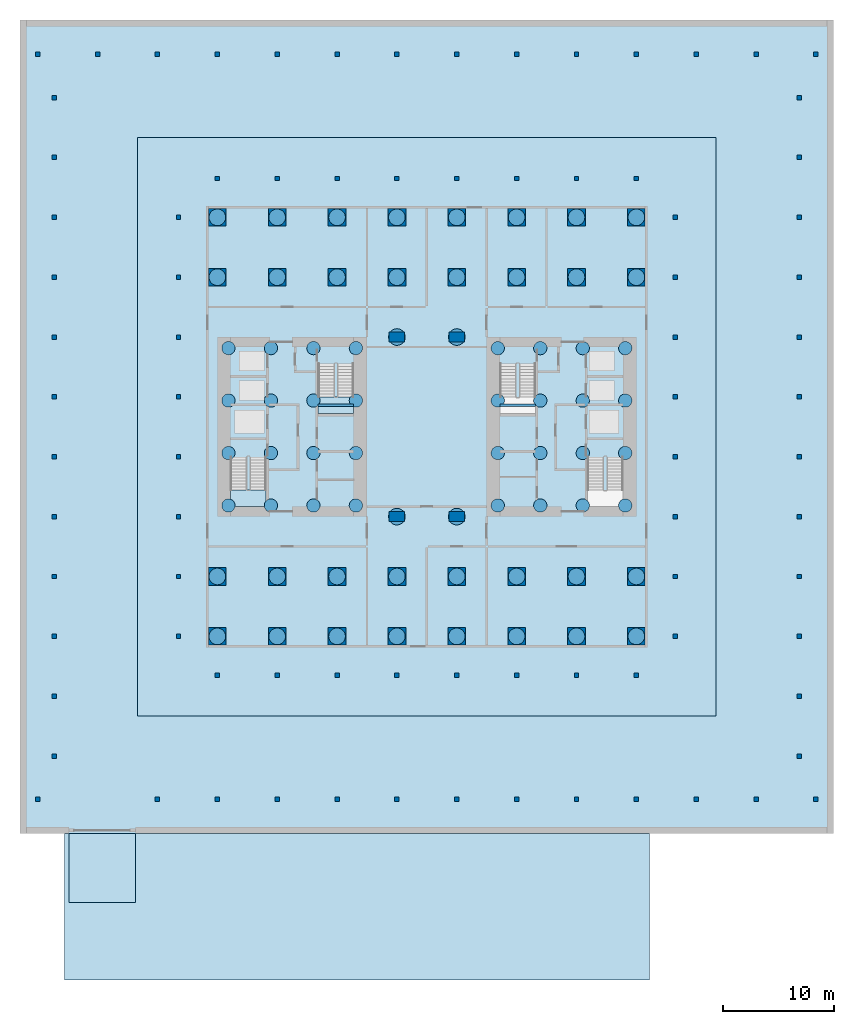
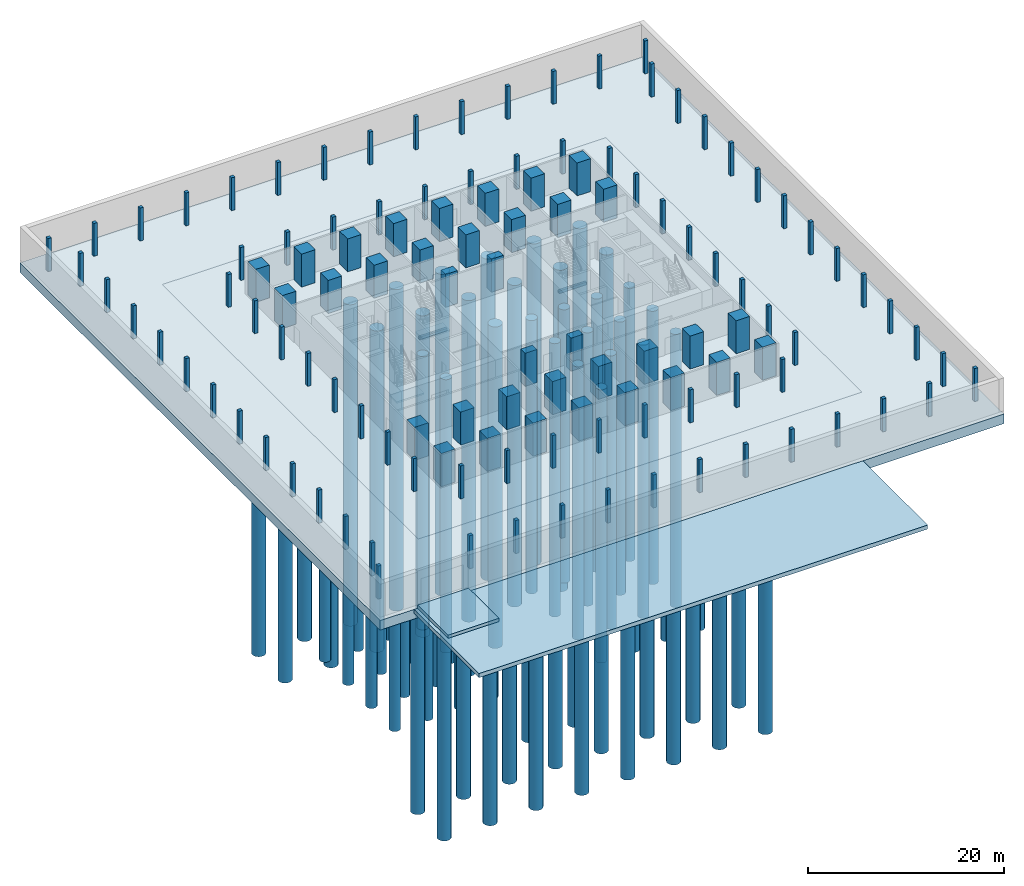
# One storey, part 1 of 8: 119 columns, 68 piles, 3 footings, 3 slabs, 2 beams, 2 elements without a shape of their own.
"""IFC4 building model written with IfcOpenShell, lengths in metres."""

from ifc_helpers import new_model, si_unit, direction, frame, origin, origin_2d, place, context, subcontext, project, spatial, polyline, rectangle, circle, outline, extrude, material, layer, layer_set, material_profile, profile_set, type_object, element, aggregate, save


model = new_model("IFC4")

# Units and contexts
model_context = context("Model", 3, precision=1e-05, world=origin(), true_north=direction((0.0, 1.0)))
body_context = subcontext(model_context, "Body", "Model", "MODEL_VIEW")
ifc_project = project(units=[si_unit("LENGTHUNIT", "METRE"), si_unit("AREAUNIT", "SQUARE_METRE"), si_unit("VOLUMEUNIT", "CUBIC_METRE"), si_unit("PLANEANGLEUNIT", "RADIAN"), si_unit("MASSUNIT", "GRAM", prefix="KILO")], contexts=[model_context])

# Site, building, storey
site_placement = place(None, origin())
site = spatial("IfcSite", under=ifc_project, at=site_placement, CompositionType="ELEMENT")
building_placement = place(site_placement, origin())
building = spatial("IfcBuilding", under=site, at=building_placement, Name="Tabaq Tower and Sports Hall", CompositionType="ELEMENT")
storey_placement = place(building_placement, frame((0.0, 0.0, -9.0)))
storey = spatial("IfcBuildingStorey", under=building, at=storey_placement, Name="B02", CompositionType="ELEMENT", Elevation=-9.0)

# Footing
ifc_material_1 = material(Name="Concrete C40/50", Category="concrete")
ifc_layer_1 = layer(ifc_material_1, 1.199951171875)
ifc_layer_set_1 = layer_set([ifc_layer_1], Name="BASEMENT MAT FOUNDATION 1200 C40/50")
footing_type_1 = type_object("IfcFootingType", Name="BASEMENT MAT FOUNDATION 1200 C40/50", PredefinedType="USERDEFINED", material=ifc_layer_set_1)
footing_1_placement = place(storey_placement, frame((0.0, 0.0, -1.60009765625)))
element("IfcFooting", 1, at=footing_1_placement, inside=storey, type_object=footing_type_1, Name="Basement Mat Foundation", ObjectType="MAT", PredefinedType="USERDEFINED", context=body_context, shape_type="SweptSolid", body=[
    extrude(outline(polyline([(-12.39990234375, -12.39990234375), (61.0, -12.39990234375), (61.0, 61.0), (-12.39990234375, 61.0), (-12.39990234375, -12.39990234375)]), holes=[polyline([(50.39990234375, 50.39990234375), (50.39990234375, -1.800048828125), (-1.800048828125, -1.800048828125), (-1.800048828125, 50.39990234375), (50.39990234375, 50.39990234375)])]), origin(), (0.0, 0.0, 1.0), 1.2001953125),
])

# Piles
ifc_material_2 = material(Name="Concrete C40/50", Category="concrete")
ifc_material_profile_1 = material_profile(ifc_material_2, circle(Radius=0.60009765625, at=origin_2d()), Name="BORED PILE D1200")
ifc_profile_set_1 = profile_set([ifc_material_profile_1], Name="Concrete C40/50")
pile_type_1 = type_object("IfcPileType", Name="BORED PILE BORED PILE D1200 C40/50", PredefinedType="BORED", material=ifc_profile_set_1)
for number, where, z_axis, x_axis, name in (
    (2, (30.699951171875, 17.199951171875, -4.324951171875), (0.0, 0.0, -1.0), (1.0, 0.0, 0.0), "Bored Pile 037"),
    (3, (30.699951171875, 21.933349609375, -4.324951171875), (0.0, 0.0, -1.0), (1.0, 0.0, 0.0), "Bored Pile 038"),
    (4, (30.699951171875, 26.666748046875, -4.324951171875), (0.0, 0.0, -1.0), (1.0, 0.0, 0.0), "Bored Pile 039"),
    (5, (30.699951171875, 31.39990234375, -4.324951171875), (0.0, 0.0, -1.0), (1.0, 0.0, 0.0), "Bored Pile 040"),
    (6, (34.533203125, 17.199951171875, -4.324951171875), (0.0, 0.0, -1.0), (1.0, 0.0, 0.0), "Bored Pile 041"),
    (7, (34.533203125, 21.933349609375, -4.324951171875), (0.0, 0.0, -1.0), (1.0, 0.0, 0.0), "Bored Pile 042"),
    (8, (34.533203125, 26.666748046875, -4.324951171875), (0.0, 0.0, -1.0), (1.0, 0.0, 0.0), "Bored Pile 043"),
    (9, (34.533203125, 31.39990234375, -4.324951171875), (0.0, 0.0, -1.0), (1.0, 0.0, 0.0), "Bored Pile 044"),
    (10, (38.36669921875, 17.199951171875, -4.324951171875), (0.0, 0.0, -1.0), (1.0, 0.0, 0.0), "Bored Pile 045"),
    (11, (38.36669921875, 21.933349609375, -4.324951171875), (0.0, 0.0, -1.0), (1.0, 0.0, 0.0), "Bored Pile 046"),
    (12, (38.36669921875, 26.666748046875, -4.324951171875), (0.0, 0.0, -1.0), (1.0, 0.0, 0.0), "Bored Pile 047"),
    (13, (38.36669921875, 31.39990234375, -4.324951171875), (0.0, 0.0, -1.0), (1.0, 0.0, 0.0), "Bored Pile 048"),
    (14, (42.199951171875, 17.199951171875, -4.324951171875), (0.0, 0.0, -1.0), (1.0, 0.0, 0.0), "Bored Pile 049"),
    (15, (42.199951171875, 21.933349609375, -4.324951171875), (0.0, 0.0, -1.0), (1.0, 0.0, 0.0), "Bored Pile 050"),
    (16, (42.199951171875, 26.666748046875, -4.324951171875), (0.0, 0.0, -1.0), (1.0, 0.0, 0.0), "Bored Pile 051"),
    (17, (42.199951171875, 31.39990234375, -4.324951171875), (0.0, 0.0, -1.0), (1.0, 0.0, 0.0), "Bored Pile 052"),
    (18, (6.39990234375, 17.199951171875, -4.324951171875), (0.0, 0.0, -1.0), (1.0, 0.0, 0.0), "Bored Pile 053"),
    (19, (6.39990234375, 21.933349609375, -4.324951171875), (0.0, 0.0, -1.0), (1.0, 0.0, 0.0), "Bored Pile 054"),
    (20, (6.39990234375, 26.666748046875, -4.324951171875), (0.0, 0.0, -1.0), (1.0, 0.0, 0.0), "Bored Pile 055"),
    (21, (6.39990234375, 31.39990234375, -4.324951171875), (0.0, 0.0, -1.0), (1.0, 0.0, 0.0), "Bored Pile 056"),
    (22, (10.2333984375, 17.199951171875, -4.324951171875), (0.0, 0.0, -1.0), (1.0, 0.0, 0.0), "Bored Pile 057"),
    (23, (10.2333984375, 21.933349609375, -4.324951171875), (0.0, 0.0, -1.0), (1.0, 0.0, 0.0), "Bored Pile 058"),
    (24, (10.2333984375, 26.666748046875, -4.324951171875), (0.0, 0.0, -1.0), (1.0, 0.0, 0.0), "Bored Pile 059"),
    (25, (10.2333984375, 31.39990234375, -4.324951171875), (0.0, 0.0, -1.0), (1.0, 0.0, 0.0), "Bored Pile 060"),
    (26, (14.066650390625, 17.199951171875, -4.324951171875), (0.0, 0.0, -1.0), (1.0, 0.0, 0.0), "Bored Pile 061"),
    (27, (14.066650390625, 21.933349609375, -4.324951171875), (0.0, 0.0, -1.0), (1.0, 0.0, 0.0), "Bored Pile 062"),
    (28, (14.066650390625, 26.666748046875, -4.324951171875), (0.0, 0.0, -1.0), (1.0, 0.0, 0.0), "Bored Pile 063"),
    (29, (14.066650390625, 31.39990234375, -4.324951171875), (0.0, 0.0, -1.0), (1.0, 0.0, 0.0), "Bored Pile 064"),
    (30, (17.89990234375, 17.199951171875, -4.324951171875), (0.0, 0.0, -1.0), (1.0, 0.0, 0.0), "Bored Pile 065"),
    (31, (17.89990234375, 21.933349609375, -4.324951171875), (0.0, 0.0, -1.0), (1.0, 0.0, 0.0), "Bored Pile 066"),
    (32, (17.89990234375, 26.666748046875, -4.324951171875), (0.0, 0.0, -1.0), (1.0, 0.0, 0.0), "Bored Pile 067"),
    (33, (17.89990234375, 31.39990234375, -4.324951171875), (0.0, 0.0, -1.0), (1.0, 0.0, 0.0), "Bored Pile 068"),
):
    element("IfcPile", number, at=place(storey_placement, frame(where, z_axis=z_axis, x_axis=x_axis)), inside=storey, type_object=pile_type_1, Name=name, PredefinedType="BORED", context=body_context, shape_type="SweptSolid", body=[
        extrude(circle(Radius=0.60009765625, at=origin_2d()), origin(), (0.0, 0.0, 1.0), 34.0),
    ])
ifc_material_3 = material(Name="Concrete C40/50", Category="concrete")
ifc_material_profile_2 = material_profile(ifc_material_3, circle(Radius=0.75, at=origin_2d()), Name="BORED PILE D1500")
ifc_profile_set_2 = profile_set([ifc_material_profile_2], Name="Concrete C40/50")
pile_type_2 = type_object("IfcPileType", Name="BORED PILE BORED PILE D1500 C40/50", PredefinedType="BORED", material=ifc_profile_set_2)
for number, where, z_axis, x_axis, name in (
    (34, (5.39990234375, 5.39990234375, -4.324951171875), (0.0, 0.0, -1.0), (1.0, 0.0, 0.0), "Bored Pile 001"),
    (35, (10.800048828125, 5.39990234375, -4.324951171875), (0.0, 0.0, -1.0), (1.0, 0.0, 0.0), "Bored Pile 002"),
    (36, (16.199951171875, 5.39990234375, -4.324951171875), (0.0, 0.0, -1.0), (1.0, 0.0, 0.0), "Bored Pile 003"),
    (37, (21.60009765625, 5.39990234375, -4.324951171875), (0.0, 0.0, -1.0), (1.0, 0.0, 0.0), "Bored Pile 004"),
    (38, (27.0, 5.39990234375, -4.324951171875), (0.0, 0.0, -1.0), (1.0, 0.0, 0.0), "Bored Pile 005"),
    (39, (32.39990234375, 5.39990234375, -4.324951171875), (0.0, 0.0, -1.0), (1.0, 0.0, 0.0), "Bored Pile 006"),
    (40, (37.800048828125, 5.39990234375, -4.324951171875), (0.0, 0.0, -1.0), (1.0, 0.0, 0.0), "Bored Pile 007"),
    (41, (43.199951171875, 5.39990234375, -4.324951171875), (0.0, 0.0, -1.0), (1.0, 0.0, 0.0), "Bored Pile 008"),
    (42, (5.39990234375, 10.800048828125, -4.324951171875), (0.0, 0.0, -1.0), (1.0, 0.0, 0.0), "Bored Pile 009"),
    (43, (10.800048828125, 10.800048828125, -4.324951171875), (0.0, 0.0, -1.0), (1.0, 0.0, 0.0), "Bored Pile 010"),
    (44, (16.199951171875, 10.800048828125, -4.324951171875), (0.0, 0.0, -1.0), (1.0, 0.0, 0.0), "Bored Pile 011"),
    (45, (21.60009765625, 10.800048828125, -4.324951171875), (0.0, 0.0, -1.0), (1.0, 0.0, 0.0), "Bored Pile 012"),
    (46, (27.0, 10.800048828125, -4.324951171875), (0.0, 0.0, -1.0), (1.0, 0.0, 0.0), "Bored Pile 013"),
    (47, (32.39990234375, 10.800048828125, -4.324951171875), (0.0, 0.0, -1.0), (1.0, 0.0, 0.0), "Bored Pile 014"),
    (48, (37.800048828125, 10.800048828125, -4.324951171875), (0.0, 0.0, -1.0), (1.0, 0.0, 0.0), "Bored Pile 015"),
    (49, (43.199951171875, 10.800048828125, -4.324951171875), (0.0, 0.0, -1.0), (1.0, 0.0, 0.0), "Bored Pile 016"),
    (50, (21.60009765625, 16.199951171875, -4.324951171875), (0.0, 0.0, -1.0), (1.0, 0.0, 0.0), "Bored Pile 017"),
    (51, (27.0, 16.199951171875, -4.324951171875), (0.0, 0.0, -1.0), (1.0, 0.0, 0.0), "Bored Pile 018"),
    (52, (21.60009765625, 32.39990234375, -4.324951171875), (0.0, 0.0, -1.0), (1.0, 0.0, 0.0), "Bored Pile 019"),
    (53, (27.0, 32.39990234375, -4.324951171875), (0.0, 0.0, -1.0), (1.0, 0.0, 0.0), "Bored Pile 020"),
    (54, (5.39990234375, 37.800048828125, -4.324951171875), (0.0, 0.0, -1.0), (1.0, 0.0, 0.0), "Bored Pile 021"),
    (55, (10.800048828125, 37.800048828125, -4.324951171875), (0.0, 0.0, -1.0), (1.0, 0.0, 0.0), "Bored Pile 022"),
    (56, (16.199951171875, 37.800048828125, -4.324951171875), (0.0, 0.0, -1.0), (1.0, 0.0, 0.0), "Bored Pile 023"),
    (57, (21.60009765625, 37.800048828125, -4.324951171875), (0.0, 0.0, -1.0), (1.0, 0.0, 0.0), "Bored Pile 024"),
    (58, (27.0, 37.800048828125, -4.324951171875), (0.0, 0.0, -1.0), (1.0, 0.0, 0.0), "Bored Pile 025"),
    (59, (32.39990234375, 37.800048828125, -4.324951171875), (0.0, 0.0, -1.0), (1.0, 0.0, 0.0), "Bored Pile 026"),
    (60, (37.800048828125, 37.800048828125, -4.324951171875), (0.0, 0.0, -1.0), (1.0, 0.0, 0.0), "Bored Pile 027"),
    (61, (43.199951171875, 37.800048828125, -4.324951171875), (0.0, 0.0, -1.0), (1.0, 0.0, 0.0), "Bored Pile 028"),
    (62, (5.39990234375, 43.199951171875, -4.324951171875), (0.0, 0.0, -1.0), (1.0, 0.0, 0.0), "Bored Pile 029"),
    (63, (10.800048828125, 43.199951171875, -4.324951171875), (0.0, 0.0, -1.0), (1.0, 0.0, 0.0), "Bored Pile 030"),
    (64, (16.199951171875, 43.199951171875, -4.324951171875), (0.0, 0.0, -1.0), (1.0, 0.0, 0.0), "Bored Pile 031"),
    (65, (21.60009765625, 43.199951171875, -4.324951171875), (0.0, 0.0, -1.0), (1.0, 0.0, 0.0), "Bored Pile 032"),
    (66, (27.0, 43.199951171875, -4.324951171875), (0.0, 0.0, -1.0), (1.0, 0.0, 0.0), "Bored Pile 033"),
    (67, (32.39990234375, 43.199951171875, -4.324951171875), (0.0, 0.0, -1.0), (1.0, 0.0, 0.0), "Bored Pile 034"),
    (68, (37.800048828125, 43.199951171875, -4.324951171875), (0.0, 0.0, -1.0), (1.0, 0.0, 0.0), "Bored Pile 035"),
    (69, (43.199951171875, 43.199951171875, -4.324951171875), (0.0, 0.0, -1.0), (1.0, 0.0, 0.0), "Bored Pile 036"),
):
    element("IfcPile", number, at=place(storey_placement, frame(where, z_axis=z_axis, x_axis=x_axis)), inside=storey, type_object=pile_type_2, Name=name, PredefinedType="BORED", context=body_context, shape_type="SweptSolid", body=[
        extrude(circle(Radius=0.75, at=origin_2d()), origin(), (0.0, 0.0, 1.0), 40.0),
    ])

# Footings
ifc_material_4 = material(Name="Concrete C40/50", Category="concrete")
ifc_layer_2 = layer(ifc_material_4, 4.0)
ifc_layer_set_2 = layer_set([ifc_layer_2], Name="RAFT FOUNDATION 4000 C40/50")
footing_type_2 = type_object("IfcFootingType", Name="RAFT FOUNDATION 4000 C40/50", PredefinedType="USERDEFINED", material=ifc_layer_set_2)
footing_2_placement = place(storey_placement, frame((0.0, 0.0, -4.39990234375)))
element("IfcFooting", 70, at=footing_2_placement, inside=storey, type_object=footing_type_2, Name="Tower Raft Foundation", ObjectType="RAFT", PredefinedType="USERDEFINED", context=body_context, shape_type="SweptSolid", body=[
    extrude(outline(polyline([(-1.800048828125, -1.800048828125), (50.39990234375, -1.800048828125), (50.39990234375, 50.39990234375), (-1.800048828125, 50.39990234375), (-1.800048828125, -1.800048828125)])), origin(), (0.0, 0.0, 1.0), 4.0),
])
ifc_material_5 = material(Name="Concrete C40/50", Category="concrete")
ifc_layer_3 = layer(ifc_material_5, 0.5)
ifc_layer_set_3 = layer_set([ifc_layer_3], Name="Ramp Trench Raft 500")
footing_type_3 = type_object("IfcFootingType", Name="Ramp Trench Raft 500", PredefinedType="USERDEFINED", material=ifc_layer_set_3)
footing_3_placement = place(storey_placement, frame((0.0, 0.0, -0.89990234375)))
element("IfcFooting", 71, at=footing_3_placement, inside=storey, type_object=footing_type_3, Name="Ramp Trench Raft", ObjectType="RAFT", PredefinedType="USERDEFINED", context=body_context, shape_type="SweptSolid", body=[
    extrude(outline(polyline([(-8.39990234375, -25.60009765625), (44.39990234375, -25.60009765625), (44.39990234375, -12.39990234375), (-8.39990234375, -12.39990234375), (-8.39990234375, -25.60009765625)])), origin(), (0.0, 0.0, 1.0), 0.5),
])

# Columns
ifc_material_6 = material(Name="Concrete C60/75", Category="concrete")
ifc_material_profile_3 = material_profile(ifc_material_6, rectangle(XDim=1.39990234375, YDim=0.89990234375, at=origin_2d()), Name="ATRIUM COLUMN 1400x900")
ifc_profile_set_3 = profile_set([ifc_material_profile_3], Name="Concrete C60/75")
column_type_1 = type_object("IfcColumnType", Name="RC COLUMN ATRIUM COLUMN 1400x900 C60/75", PredefinedType="COLUMN", material=ifc_profile_set_3)
for number, where, z_axis, x_axis, name in (
    (72, (21.60009765625, 16.199951171875, 0.0), (0.0, 0.0, 1.0), (1.0, 0.0, 0.0), "Atrium Column 5/D B02"),
    (73, (27.0, 16.199951171875, 0.0), (0.0, 0.0, 1.0), (1.0, 0.0, 0.0), "Atrium Column 6/D B02"),
    (74, (21.60009765625, 32.39990234375, 0.0), (0.0, 0.0, 1.0), (1.0, 0.0, 0.0), "Atrium Column 5/G B02"),
    (75, (27.0, 32.39990234375, 0.0), (0.0, 0.0, 1.0), (1.0, 0.0, 0.0), "Atrium Column 6/G B02"),
):
    element("IfcColumn", number, at=place(storey_placement, frame(where, z_axis=z_axis, x_axis=x_axis)), inside=storey, type_object=column_type_1, Name=name, PredefinedType="COLUMN", context=body_context, shape_type="SweptSolid", body=[
        extrude(rectangle(XDim=1.39990234375, YDim=0.89990234375, at=origin_2d()), origin(), (0.0, 0.0, 1.0), 4.10009765625),
    ])
ifc_material_7 = material(Name="Concrete C60/75", Category="concrete")
ifc_material_profile_4 = material_profile(ifc_material_7, rectangle(XDim=1.60009765625, YDim=1.60009765625, at=origin_2d()), Name="COLUMN 1600x1600")
ifc_profile_set_4 = profile_set([ifc_material_profile_4], Name="Concrete C60/75")
column_type_2 = type_object("IfcColumnType", Name="RC COLUMN COLUMN 1600x1600 C60/75", PredefinedType="COLUMN", material=ifc_profile_set_4)
for number, where, z_axis, x_axis, name in (
    (76, (5.39990234375, 5.39990234375, 0.0), (0.0, 0.0, 1.0), (1.0, 0.0, 0.0), "Column 2/B B02"),
    (77, (10.800048828125, 5.39990234375, 0.0), (0.0, 0.0, 1.0), (1.0, 0.0, 0.0), "Column 3/B B02"),
    (78, (16.199951171875, 5.39990234375, 0.0), (0.0, 0.0, 1.0), (1.0, 0.0, 0.0), "Column 4/B B02"),
    (79, (21.60009765625, 5.39990234375, 0.0), (0.0, 0.0, 1.0), (1.0, 0.0, 0.0), "Column 5/B B02"),
    (80, (27.0, 5.39990234375, 0.0), (0.0, 0.0, 1.0), (1.0, 0.0, 0.0), "Column 6/B B02"),
    (81, (32.39990234375, 5.39990234375, 0.0), (0.0, 0.0, 1.0), (1.0, 0.0, 0.0), "Column 7/B B02"),
    (82, (37.800048828125, 5.39990234375, 0.0), (0.0, 0.0, 1.0), (1.0, 0.0, 0.0), "Column 8/B B02"),
    (83, (43.199951171875, 5.39990234375, 0.0), (0.0, 0.0, 1.0), (1.0, 0.0, 0.0), "Column 9/B B02"),
    (84, (5.39990234375, 10.800048828125, 0.0), (0.0, 0.0, 1.0), (1.0, 0.0, 0.0), "Column 2/C B02"),
    (85, (10.800048828125, 10.800048828125, 0.0), (0.0, 0.0, 1.0), (1.0, 0.0, 0.0), "Column 3/C B02"),
    (86, (16.199951171875, 10.800048828125, 0.0), (0.0, 0.0, 1.0), (1.0, 0.0, 0.0), "Column 4/C B02"),
    (87, (21.60009765625, 10.800048828125, 0.0), (0.0, 0.0, 1.0), (1.0, 0.0, 0.0), "Column 5/C B02"),
    (88, (27.0, 10.800048828125, 0.0), (0.0, 0.0, 1.0), (1.0, 0.0, 0.0), "Column 6/C B02"),
    (89, (32.39990234375, 10.800048828125, 0.0), (0.0, 0.0, 1.0), (1.0, 0.0, 0.0), "Column 7/C B02"),
    (90, (37.800048828125, 10.800048828125, 0.0), (0.0, 0.0, 1.0), (1.0, 0.0, 0.0), "Column 8/C B02"),
    (91, (43.199951171875, 10.800048828125, 0.0), (0.0, 0.0, 1.0), (1.0, 0.0, 0.0), "Column 9/C B02"),
    (92, (5.39990234375, 37.800048828125, 0.0), (0.0, 0.0, 1.0), (1.0, 0.0, 0.0), "Column 2/H B02"),
    (93, (10.800048828125, 37.800048828125, 0.0), (0.0, 0.0, 1.0), (1.0, 0.0, 0.0), "Column 3/H B02"),
    (94, (16.199951171875, 37.800048828125, 0.0), (0.0, 0.0, 1.0), (1.0, 0.0, 0.0), "Column 4/H B02"),
    (95, (21.60009765625, 37.800048828125, 0.0), (0.0, 0.0, 1.0), (1.0, 0.0, 0.0), "Column 5/H B02"),
    (96, (27.0, 37.800048828125, 0.0), (0.0, 0.0, 1.0), (1.0, 0.0, 0.0), "Column 6/H B02"),
    (97, (32.39990234375, 37.800048828125, 0.0), (0.0, 0.0, 1.0), (1.0, 0.0, 0.0), "Column 7/H B02"),
    (98, (37.800048828125, 37.800048828125, 0.0), (0.0, 0.0, 1.0), (1.0, 0.0, 0.0), "Column 8/H B02"),
    (99, (43.199951171875, 37.800048828125, 0.0), (0.0, 0.0, 1.0), (1.0, 0.0, 0.0), "Column 9/H B02"),
    (100, (5.39990234375, 43.199951171875, 0.0), (0.0, 0.0, 1.0), (1.0, 0.0, 0.0), "Column 2/I B02"),
    (101, (10.800048828125, 43.199951171875, 0.0), (0.0, 0.0, 1.0), (1.0, 0.0, 0.0), "Column 3/I B02"),
    (102, (16.199951171875, 43.199951171875, 0.0), (0.0, 0.0, 1.0), (1.0, 0.0, 0.0), "Column 4/I B02"),
    (103, (21.60009765625, 43.199951171875, 0.0), (0.0, 0.0, 1.0), (1.0, 0.0, 0.0), "Column 5/I B02"),
    (104, (27.0, 43.199951171875, 0.0), (0.0, 0.0, 1.0), (1.0, 0.0, 0.0), "Column 6/I B02"),
    (105, (32.39990234375, 43.199951171875, 0.0), (0.0, 0.0, 1.0), (1.0, 0.0, 0.0), "Column 7/I B02"),
    (106, (37.800048828125, 43.199951171875, 0.0), (0.0, 0.0, 1.0), (1.0, 0.0, 0.0), "Column 8/I B02"),
    (107, (43.199951171875, 43.199951171875, 0.0), (0.0, 0.0, 1.0), (1.0, 0.0, 0.0), "Column 9/I B02"),
):
    element("IfcColumn", number, at=place(storey_placement, frame(where, z_axis=z_axis, x_axis=x_axis)), inside=storey, type_object=column_type_2, Name=name, PredefinedType="COLUMN", context=body_context, shape_type="SweptSolid", body=[
        extrude(rectangle(XDim=1.60009765625, YDim=1.60009765625, at=origin_2d()), origin(), (0.0, 0.0, 1.0), 4.10009765625),
    ])
ifc_material_8 = material(Name="Concrete C60/75", Category="concrete")
ifc_material_profile_5 = material_profile(ifc_material_8, rectangle(XDim=0.39990234375, YDim=0.39990234375, at=origin_2d()), Name="RING COLUMN 400x400")
ifc_profile_set_5 = profile_set([ifc_material_profile_5], Name="Concrete C60/75")
column_type_3 = type_object("IfcColumnType", Name="RC COLUMN RING COLUMN 400x400 C60/75", PredefinedType="COLUMN", material=ifc_profile_set_5)
for number, where, z_axis, x_axis, name in (
    (108, (-10.800048828125, -9.300048828125, 0.0), (0.0, 0.0, 1.0), (1.0, 0.0, 0.0), "Car Park Column B02 001"),
    (109, (0.0, -9.300048828125, 0.0), (0.0, 0.0, 1.0), (1.0, 0.0, 0.0), "Car Park Column B02 002"),
    (110, (5.39990234375, -9.300048828125, 0.0), (0.0, 0.0, 1.0), (1.0, 0.0, 0.0), "Car Park Column B02 003"),
    (111, (10.800048828125, -9.300048828125, 0.0), (0.0, 0.0, 1.0), (1.0, 0.0, 0.0), "Car Park Column B02 004"),
    (112, (16.199951171875, -9.300048828125, 0.0), (0.0, 0.0, 1.0), (1.0, 0.0, 0.0), "Car Park Column B02 005"),
    (113, (21.60009765625, -9.300048828125, 0.0), (0.0, 0.0, 1.0), (1.0, 0.0, 0.0), "Car Park Column B02 006"),
    (114, (27.0, -9.300048828125, 0.0), (0.0, 0.0, 1.0), (1.0, 0.0, 0.0), "Car Park Column B02 007"),
    (115, (32.39990234375, -9.300048828125, 0.0), (0.0, 0.0, 1.0), (1.0, 0.0, 0.0), "Car Park Column B02 008"),
    (116, (37.800048828125, -9.300048828125, 0.0), (0.0, 0.0, 1.0), (1.0, 0.0, 0.0), "Car Park Column B02 009"),
    (117, (43.199951171875, -9.300048828125, 0.0), (0.0, 0.0, 1.0), (1.0, 0.0, 0.0), "Car Park Column B02 010"),
    (118, (48.60009765625, -9.300048828125, 0.0), (0.0, 0.0, 1.0), (1.0, 0.0, 0.0), "Car Park Column B02 011"),
    (119, (54.0, -9.300048828125, 0.0), (0.0, 0.0, 1.0), (1.0, 0.0, 0.0), "Car Park Column B02 012"),
    (120, (59.39990234375, -9.300048828125, 0.0), (0.0, 0.0, 1.0), (1.0, 0.0, 0.0), "Car Park Column B02 013"),
    (121, (-9.300048828125, -5.39990234375, 0.0), (0.0, 0.0, 1.0), (1.0, 0.0, 0.0), "Car Park Column B02 014"),
    (122, (57.89990234375, -5.39990234375, 0.0), (0.0, 0.0, 1.0), (1.0, 0.0, 0.0), "Car Park Column B02 015"),
    (123, (-9.300048828125, 0.0, 0.0), (0.0, 0.0, 1.0), (1.0, 0.0, 0.0), "Car Park Column B02 016"),
    (124, (57.89990234375, 0.0, 0.0), (0.0, 0.0, 1.0), (1.0, 0.0, 0.0), "Car Park Column B02 017"),
    (125, (5.39990234375, 1.89990234375, 0.0), (0.0, 0.0, 1.0), (1.0, 0.0, 0.0), "Car Park Column B02 018"),
    (126, (10.800048828125, 1.89990234375, 0.0), (0.0, 0.0, 1.0), (1.0, 0.0, 0.0), "Car Park Column B02 019"),
    (127, (16.199951171875, 1.89990234375, 0.0), (0.0, 0.0, 1.0), (1.0, 0.0, 0.0), "Car Park Column B02 020"),
    (128, (21.60009765625, 1.89990234375, 0.0), (0.0, 0.0, 1.0), (1.0, 0.0, 0.0), "Car Park Column B02 021"),
    (129, (27.0, 1.89990234375, 0.0), (0.0, 0.0, 1.0), (1.0, 0.0, 0.0), "Car Park Column B02 022"),
    (130, (32.39990234375, 1.89990234375, 0.0), (0.0, 0.0, 1.0), (1.0, 0.0, 0.0), "Car Park Column B02 023"),
    (131, (37.800048828125, 1.89990234375, 0.0), (0.0, 0.0, 1.0), (1.0, 0.0, 0.0), "Car Park Column B02 024"),
    (132, (43.199951171875, 1.89990234375, 0.0), (0.0, 0.0, 1.0), (1.0, 0.0, 0.0), "Car Park Column B02 025"),
    (133, (-9.300048828125, 5.39990234375, 0.0), (0.0, 0.0, 1.0), (1.0, 0.0, 0.0), "Car Park Column B02 026"),
    (134, (1.89990234375, 5.39990234375, 0.0), (0.0, 0.0, 1.0), (1.0, 0.0, 0.0), "Car Park Column B02 027"),
    (135, (46.699951171875, 5.39990234375, 0.0), (0.0, 0.0, 1.0), (1.0, 0.0, 0.0), "Car Park Column B02 028"),
    (136, (57.89990234375, 5.39990234375, 0.0), (0.0, 0.0, 1.0), (1.0, 0.0, 0.0), "Car Park Column B02 029"),
    (137, (-9.300048828125, 10.800048828125, 0.0), (0.0, 0.0, 1.0), (1.0, 0.0, 0.0), "Car Park Column B02 030"),
    (138, (1.89990234375, 10.800048828125, 0.0), (0.0, 0.0, 1.0), (1.0, 0.0, 0.0), "Car Park Column B02 031"),
    (139, (46.699951171875, 10.800048828125, 0.0), (0.0, 0.0, 1.0), (1.0, 0.0, 0.0), "Car Park Column B02 032"),
    (140, (57.89990234375, 10.800048828125, 0.0), (0.0, 0.0, 1.0), (1.0, 0.0, 0.0), "Car Park Column B02 033"),
    (141, (-9.300048828125, 16.199951171875, 0.0), (0.0, 0.0, 1.0), (1.0, 0.0, 0.0), "Car Park Column B02 034"),
    (142, (1.89990234375, 16.199951171875, 0.0), (0.0, 0.0, 1.0), (1.0, 0.0, 0.0), "Car Park Column B02 035"),
    (143, (46.699951171875, 16.199951171875, 0.0), (0.0, 0.0, 1.0), (1.0, 0.0, 0.0), "Car Park Column B02 036"),
    (144, (57.89990234375, 16.199951171875, 0.0), (0.0, 0.0, 1.0), (1.0, 0.0, 0.0), "Car Park Column B02 037"),
    (145, (-9.300048828125, 21.60009765625, 0.0), (0.0, 0.0, 1.0), (1.0, 0.0, 0.0), "Car Park Column B02 038"),
    (146, (1.89990234375, 21.60009765625, 0.0), (0.0, 0.0, 1.0), (1.0, 0.0, 0.0), "Car Park Column B02 039"),
    (147, (46.699951171875, 21.60009765625, 0.0), (0.0, 0.0, 1.0), (1.0, 0.0, 0.0), "Car Park Column B02 040"),
    (148, (57.89990234375, 21.60009765625, 0.0), (0.0, 0.0, 1.0), (1.0, 0.0, 0.0), "Car Park Column B02 041"),
    (149, (-9.300048828125, 27.0, 0.0), (0.0, 0.0, 1.0), (1.0, 0.0, 0.0), "Car Park Column B02 042"),
    (150, (1.89990234375, 27.0, 0.0), (0.0, 0.0, 1.0), (1.0, 0.0, 0.0), "Car Park Column B02 043"),
    (151, (46.699951171875, 27.0, 0.0), (0.0, 0.0, 1.0), (1.0, 0.0, 0.0), "Car Park Column B02 044"),
    (152, (57.89990234375, 27.0, 0.0), (0.0, 0.0, 1.0), (1.0, 0.0, 0.0), "Car Park Column B02 045"),
    (153, (-9.300048828125, 32.39990234375, 0.0), (0.0, 0.0, 1.0), (1.0, 0.0, 0.0), "Car Park Column B02 046"),
    (154, (1.89990234375, 32.39990234375, 0.0), (0.0, 0.0, 1.0), (1.0, 0.0, 0.0), "Car Park Column B02 047"),
    (155, (46.699951171875, 32.39990234375, 0.0), (0.0, 0.0, 1.0), (1.0, 0.0, 0.0), "Car Park Column B02 048"),
    (156, (57.89990234375, 32.39990234375, 0.0), (0.0, 0.0, 1.0), (1.0, 0.0, 0.0), "Car Park Column B02 049"),
    (157, (-9.300048828125, 37.800048828125, 0.0), (0.0, 0.0, 1.0), (1.0, 0.0, 0.0), "Car Park Column B02 050"),
    (158, (1.89990234375, 37.800048828125, 0.0), (0.0, 0.0, 1.0), (1.0, 0.0, 0.0), "Car Park Column B02 051"),
    (159, (46.699951171875, 37.800048828125, 0.0), (0.0, 0.0, 1.0), (1.0, 0.0, 0.0), "Car Park Column B02 052"),
    (160, (57.89990234375, 37.800048828125, 0.0), (0.0, 0.0, 1.0), (1.0, 0.0, 0.0), "Car Park Column B02 053"),
    (161, (-9.300048828125, 43.199951171875, 0.0), (0.0, 0.0, 1.0), (1.0, 0.0, 0.0), "Car Park Column B02 054"),
    (162, (1.89990234375, 43.199951171875, 0.0), (0.0, 0.0, 1.0), (1.0, 0.0, 0.0), "Car Park Column B02 055"),
    (163, (46.699951171875, 43.199951171875, 0.0), (0.0, 0.0, 1.0), (1.0, 0.0, 0.0), "Car Park Column B02 056"),
    (164, (57.89990234375, 43.199951171875, 0.0), (0.0, 0.0, 1.0), (1.0, 0.0, 0.0), "Car Park Column B02 057"),
    (165, (5.39990234375, 46.699951171875, 0.0), (0.0, 0.0, 1.0), (1.0, 0.0, 0.0), "Car Park Column B02 058"),
    (166, (10.800048828125, 46.699951171875, 0.0), (0.0, 0.0, 1.0), (1.0, 0.0, 0.0), "Car Park Column B02 059"),
    (167, (16.199951171875, 46.699951171875, 0.0), (0.0, 0.0, 1.0), (1.0, 0.0, 0.0), "Car Park Column B02 060"),
    (168, (21.60009765625, 46.699951171875, 0.0), (0.0, 0.0, 1.0), (1.0, 0.0, 0.0), "Car Park Column B02 061"),
    (169, (27.0, 46.699951171875, 0.0), (0.0, 0.0, 1.0), (1.0, 0.0, 0.0), "Car Park Column B02 062"),
    (170, (32.39990234375, 46.699951171875, 0.0), (0.0, 0.0, 1.0), (1.0, 0.0, 0.0), "Car Park Column B02 063"),
    (171, (37.800048828125, 46.699951171875, 0.0), (0.0, 0.0, 1.0), (1.0, 0.0, 0.0), "Car Park Column B02 064"),
    (172, (43.199951171875, 46.699951171875, 0.0), (0.0, 0.0, 1.0), (1.0, 0.0, 0.0), "Car Park Column B02 065"),
    (173, (-9.300048828125, 48.60009765625, 0.0), (0.0, 0.0, 1.0), (1.0, 0.0, 0.0), "Car Park Column B02 066"),
    (174, (57.89990234375, 48.60009765625, 0.0), (0.0, 0.0, 1.0), (1.0, 0.0, 0.0), "Car Park Column B02 067"),
    (175, (-9.300048828125, 54.0, 0.0), (0.0, 0.0, 1.0), (1.0, 0.0, 0.0), "Car Park Column B02 068"),
    (176, (57.89990234375, 54.0, 0.0), (0.0, 0.0, 1.0), (1.0, 0.0, 0.0), "Car Park Column B02 069"),
    (177, (-10.800048828125, 57.89990234375, 0.0), (0.0, 0.0, 1.0), (1.0, 0.0, 0.0), "Car Park Column B02 070"),
    (178, (-5.39990234375, 57.89990234375, 0.0), (0.0, 0.0, 1.0), (1.0, 0.0, 0.0), "Car Park Column B02 071"),
    (179, (0.0, 57.89990234375, 0.0), (0.0, 0.0, 1.0), (1.0, 0.0, 0.0), "Car Park Column B02 072"),
    (180, (5.39990234375, 57.89990234375, 0.0), (0.0, 0.0, 1.0), (1.0, 0.0, 0.0), "Car Park Column B02 073"),
    (181, (10.800048828125, 57.89990234375, 0.0), (0.0, 0.0, 1.0), (1.0, 0.0, 0.0), "Car Park Column B02 074"),
    (182, (16.199951171875, 57.89990234375, 0.0), (0.0, 0.0, 1.0), (1.0, 0.0, 0.0), "Car Park Column B02 075"),
    (183, (21.60009765625, 57.89990234375, 0.0), (0.0, 0.0, 1.0), (1.0, 0.0, 0.0), "Car Park Column B02 076"),
    (184, (27.0, 57.89990234375, 0.0), (0.0, 0.0, 1.0), (1.0, 0.0, 0.0), "Car Park Column B02 077"),
    (185, (32.39990234375, 57.89990234375, 0.0), (0.0, 0.0, 1.0), (1.0, 0.0, 0.0), "Car Park Column B02 078"),
    (186, (37.800048828125, 57.89990234375, 0.0), (0.0, 0.0, 1.0), (1.0, 0.0, 0.0), "Car Park Column B02 079"),
    (187, (43.199951171875, 57.89990234375, 0.0), (0.0, 0.0, 1.0), (1.0, 0.0, 0.0), "Car Park Column B02 080"),
    (188, (48.60009765625, 57.89990234375, 0.0), (0.0, 0.0, 1.0), (1.0, 0.0, 0.0), "Car Park Column B02 081"),
    (189, (54.0, 57.89990234375, 0.0), (0.0, 0.0, 1.0), (1.0, 0.0, 0.0), "Car Park Column B02 082"),
    (190, (59.39990234375, 57.89990234375, 0.0), (0.0, 0.0, 1.0), (1.0, 0.0, 0.0), "Car Park Column B02 083"),
):
    element("IfcColumn", number, at=place(storey_placement, frame(where, z_axis=z_axis, x_axis=x_axis)), inside=storey, type_object=column_type_3, Name=name, PredefinedType="COLUMN", context=body_context, shape_type="SweptSolid", body=[
        extrude(rectangle(XDim=0.39990234375, YDim=0.39990234375, at=origin_2d()), origin(), (0.0, 0.0, 1.0), 4.10009765625),
    ])

# Beams
ifc_material_9 = material(Name="Concrete C40/50", Category="concrete")
ifc_material_profile_6 = material_profile(ifc_material_9, rectangle(XDim=0.25, YDim=0.300048828125, at=origin_2d()), Name="RC 250x300")
ifc_profile_set_6 = profile_set([ifc_material_profile_6], Name="Concrete C40/50")
beam_type = type_object("IfcBeamType", Name="Stair landing beam 250x300", PredefinedType="BEAM", material=ifc_profile_set_6)
beam_1_placement = place(storey_placement, frame((14.5, 26.25, 1.89990234375), z_axis=(1.0, 0.0, 0.0), x_axis=(0.0, 1.0, 0.0)))
element("IfcBeam", 191, at=beam_1_placement, inside=storey, type_object=beam_type, Name="B02 ST2 landing beam 1", PredefinedType="BEAM", context=body_context, shape_type="SweptSolid", body=[
    extrude(rectangle(XDim=0.25, YDim=0.300048828125, at=origin_2d()), origin(), (0.0, 0.0, 1.0), 3.199951171875),
])
beam_2_placement = place(storey_placement, frame((30.89990234375, 26.25, 1.89990234375), z_axis=(1.0, 0.0, 0.0), x_axis=(0.0, 1.0, 0.0)))
element("IfcBeam", 192, at=beam_2_placement, inside=storey, type_object=beam_type, Name="B02 ST4 landing beam 1", PredefinedType="BEAM", context=body_context, shape_type="SweptSolid", body=[
    extrude(rectangle(XDim=0.25, YDim=0.300048828125, at=origin_2d()), origin(), (0.0, 0.0, 1.0), 3.2001953125),
])

# Stair, slab
ifc_material_10 = material(Name="Concrete C40/50", Category="concrete")
stair_type = type_object("IfcStairType", Name="Exit stair", PredefinedType="HALF_TURN_STAIR", material=ifc_material_10)
stair_1_placement = place(storey_placement, origin())
stair_1 = element("IfcStair", 193, at=stair_1_placement, inside=storey, type_object=stair_type, Name="B02 Exit stair ST1", PredefinedType="HALF_TURN_STAIR")
ifc_material_11 = material(Name="Concrete C40/50", Category="concrete")
ifc_layer_4 = layer(ifc_material_11, 0.199951171875)
ifc_layer_set_4 = layer_set([ifc_layer_4], Name="Exit stair landing")
slab_type_1 = type_object("IfcSlabType", Name="Exit stair landing", PredefinedType="LANDING", material=ifc_layer_set_4)
slab_1_placement = place(storey_placement, frame((0.0, 0.0, 2.050048828125)))
slab_1 = element("IfcSlab", 194, at=slab_1_placement, type_object=slab_type_1, Name="ST1 landing 1", PredefinedType="LANDING", context=body_context, shape_type="SweptSolid", body=[
    extrude(outline(polyline([(6.60009765625, 18.60009765625), (6.60009765625, 17.10009765625), (9.800048828125, 17.10009765625), (9.800048828125, 18.60009765625), (6.60009765625, 18.60009765625)])), origin(), (0.0, 0.0, 1.0), 0.199951171875),
])
aggregate(stair_1, [slab_1])

stair_2_placement = place(storey_placement, origin())
stair_2 = element("IfcStair", 195, at=stair_2_placement, inside=storey, type_object=stair_type, Name="B02 Exit stair ST2", PredefinedType="HALF_TURN_STAIR")
slab_2_placement = place(storey_placement, frame((0.0, 0.0, 2.050048828125)))
slab_2 = element("IfcSlab", 196, at=slab_2_placement, type_object=slab_type_1, Name="ST2 landing 1", PredefinedType="LANDING", context=body_context, shape_type="SweptSolid", body=[
    extrude(outline(polyline([(14.5, 27.0), (14.5, 25.5), (17.699951171875, 25.5), (17.699951171875, 27.0), (14.5, 27.0)])), origin(), (0.0, 0.0, 1.0), 0.199951171875),
])
aggregate(stair_2, [slab_2])

# Slab
ifc_material_12 = material(Name="Concrete C40/50", Category="concrete")
ifc_layer_5 = layer(ifc_material_12, 0.39990234375)
ifc_layer_set_5 = layer_set([ifc_layer_5], Name="Ramp Landing Slab 400")
slab_type_2 = type_object("IfcSlabType", Name="Ramp Landing Slab 400", PredefinedType="LANDING", material=ifc_layer_set_5)
slab_3_placement = place(storey_placement, frame((0.0, 0.0, -0.39990234375)))
element("IfcSlab", 197, at=slab_3_placement, inside=storey, type_object=slab_type_2, Name="Ramp Landing B02", PredefinedType="LANDING", context=body_context, shape_type="SweptSolid", body=[
    extrude(outline(polyline([(-8.0, -18.60009765625), (-2.0, -18.60009765625), (-2.0, -12.39990234375), (-8.0, -12.39990234375), (-8.0, -18.60009765625)])), origin(), (0.0, 0.0, 1.0), 0.39990234375),
])

save(model, "model.ifc")
